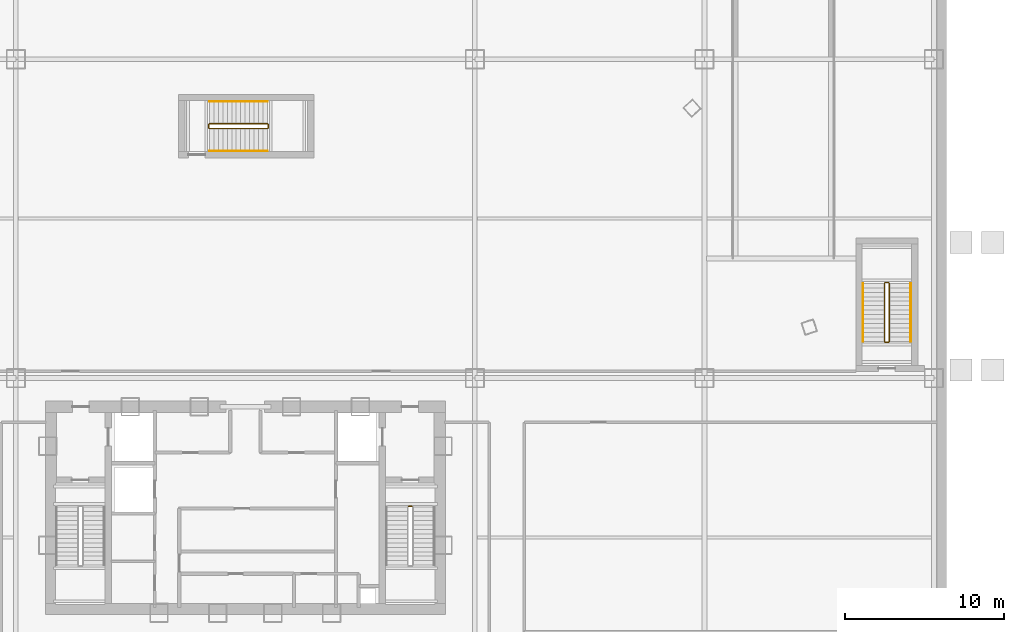
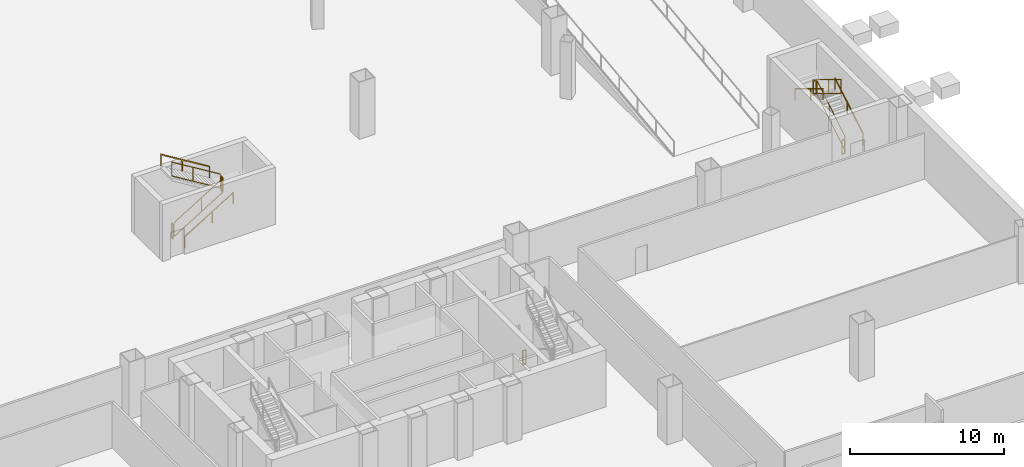
# One storey, part 15 of 16: 13 railings.
"""IFC4 building model written with IfcOpenShell, lengths in metres."""

from ifc_helpers import new_model, si_unit, direction, frame, origin, origin_2d, place, context, subcontext, project, spatial, rectangle, extrude, material, type_object, element, save


model = new_model("IFC4")

# Units and contexts
model_context = context("Model", 3, precision=1e-05, world=origin(), true_north=direction((0.0, 1.0)))
body_context = subcontext(model_context, "Body", "Model", "MODEL_VIEW")
ifc_project = project(units=[si_unit("LENGTHUNIT", "METRE"), si_unit("AREAUNIT", "SQUARE_METRE"), si_unit("VOLUMEUNIT", "CUBIC_METRE"), si_unit("PLANEANGLEUNIT", "RADIAN"), si_unit("MASSUNIT", "GRAM", prefix="KILO"), si_unit("THERMODYNAMICTEMPERATUREUNIT", "KELVIN"), si_unit("POWERUNIT", "WATT")], contexts=[model_context])

# Site, building, storey
site_placement = place(None, origin())
site = spatial("IfcSite", under=ifc_project, at=site_placement, CompositionType="ELEMENT")
building_placement = place(site_placement, origin())
building = spatial("IfcBuilding", under=site, at=building_placement, Name="Yunzhuo Pagoda Commons", CompositionType="ELEMENT")
storey_placement = place(building_placement, frame((0.0, 0.0, -4.800048828125)))
storey = spatial("IfcBuildingStorey", under=building, at=storey_placement, Name="B01", CompositionType="ELEMENT", Elevation=-4.800048828125)

# Railings
ifc_material = material(Name="Anodized aluminium 6063-T6", Category="aluminium")
railing_type_1 = type_object("IfcRailingType", Name="GR-PS4 Podium Well Guardrail 1165", PredefinedType="GUARDRAIL", material=ifc_material)
railing_1_placement = place(storey_placement, frame((88.39990234375, 44.300048828125, 0.17138671875)))
element("IfcRailing", 1, at=railing_1_placement, inside=storey, type_object=railing_type_1, Name="B01 PS4 stair guard 1", PredefinedType="GUARDRAIL", context=body_context, shape_type="SweptSolid", body=[
    extrude(rectangle(XDim=0.048095703125, YDim=0.048095703125, at=origin_2d()), frame((0.0, 0.0, 1.1259765625), z_axis=(0.0, 0.852824790078, 0.522197163366), x_axis=(-1.0, 0.0, 0.0)), (0.0, 0.0, 1.0), 4.26806640625),
    extrude(rectangle(XDim=0.048095703125, YDim=0.048095703125, at=origin_2d()), frame((0.0, 0.0, 0.02392578125), z_axis=(0.0, 0.852824790078, 0.522197163366), x_axis=(-1.0, 0.0, 0.0)), (0.0, 0.0, 1.0), 4.26806640625),
    extrude(rectangle(XDim=0.0419921875, YDim=0.0419921875, at=origin_2d()), origin(), (0.0, 0.0, 1.0), 1.101806640625),
    extrude(rectangle(XDim=0.0419921875, YDim=0.0419921875, at=origin_2d()), frame((0.0, 2.046875, 1.253173828125)), (0.0, 0.0, 1.0), 1.101806640625),
    extrude(rectangle(XDim=0.0419921875, YDim=0.0419921875, at=origin_2d()), frame((0.0, 3.639892578125, 2.228759765625)), (0.0, 0.0, 1.0), 1.101806640625),
])
railing_2_placement = place(storey_placement, frame((88.35009765625, 47.989990234375, 2.400146484375)))
element("IfcRailing", 2, at=railing_2_placement, inside=storey, type_object=railing_type_1, Name="B01 PS4 stair guard 2", PredefinedType="GUARDRAIL", context=body_context, shape_type="SweptSolid", body=[
    extrude(rectangle(XDim=0.048095703125, YDim=0.048095703125, at=origin_2d()), frame((0.0, 0.0, 1.1259765625), z_axis=(-1.0, 0.0, 0.0), x_axis=(0.0, -1.0, 0.0)), (0.0, 0.0, 1.0), 0.2001953125),
    extrude(rectangle(XDim=0.048095703125, YDim=0.048095703125, at=origin_2d()), frame((0.0, 0.0, 0.02392578125), z_axis=(-1.0, 0.0, 0.0), x_axis=(0.0, -1.0, 0.0)), (0.0, 0.0, 1.0), 0.2001953125),
    extrude(rectangle(XDim=0.0419921875, YDim=0.0419921875, at=origin_2d()), origin(), (0.0, 0.0, 1.0), 1.101806640625),
    extrude(rectangle(XDim=0.0419921875, YDim=0.0419921875, at=origin_2d()), frame((-0.2001953125, 0.0, 0.0)), (0.0, 0.0, 1.0), 1.101806640625),
])
railing_3_placement = place(storey_placement, frame((88.10009765625, 47.93994140625, 2.571533203125)))
element("IfcRailing", 3, at=railing_3_placement, inside=storey, type_object=railing_type_1, Name="B01 PS4 stair guard 3", PredefinedType="GUARDRAIL", context=body_context, shape_type="SweptSolid", body=[
    extrude(rectangle(XDim=0.048095703125, YDim=0.048095703125, at=origin_2d()), frame((0.0, 0.0, 1.1259765625), z_axis=(0.0, -0.852850264322, 0.5221555579), x_axis=(1.0, 0.0, 0.0)), (0.0, 0.0, 1.0), 4.267822265625),
    extrude(rectangle(XDim=0.048095703125, YDim=0.048095703125, at=origin_2d()), frame((0.0, 0.0, 0.02392578125), z_axis=(0.0, -0.852850264322, 0.5221555579), x_axis=(1.0, 0.0, 0.0)), (0.0, 0.0, 1.0), 4.267822265625),
    extrude(rectangle(XDim=0.0419921875, YDim=0.0419921875, at=origin_2d()), origin(), (0.0, 0.0, 1.0), 1.101806640625),
    extrude(rectangle(XDim=0.0419921875, YDim=0.0419921875, at=origin_2d()), frame((0.0, -2.046875, 1.253173828125)), (0.0, 0.0, 1.0), 1.101806640625),
    extrude(rectangle(XDim=0.0419921875, YDim=0.0419921875, at=origin_2d()), frame((0.0, -3.639892578125, 2.228515625)), (0.0, 0.0, 1.0), 1.101806640625),
])
railing_4_placement = place(storey_placement, frame((88.35009765625, 44.25, 0.0)))
element("IfcRailing", 4, at=railing_4_placement, inside=storey, type_object=railing_type_1, Name="B01 PS4 stair guard 4", PredefinedType="GUARDRAIL", context=body_context, shape_type="SweptSolid", body=[
    extrude(rectangle(XDim=0.048095703125, YDim=0.048095703125, at=origin_2d()), frame((0.0, 0.0, 1.1259765625), z_axis=(-1.0, 0.0, 0.0), x_axis=(0.0, -1.0, 0.0)), (0.0, 0.0, 1.0), 0.2001953125),
    extrude(rectangle(XDim=0.048095703125, YDim=0.048095703125, at=origin_2d()), frame((0.0, 0.0, 0.02392578125), z_axis=(-1.0, 0.0, 0.0), x_axis=(0.0, -1.0, 0.0)), (0.0, 0.0, 1.0), 0.2001953125),
    extrude(rectangle(XDim=0.0419921875, YDim=0.0419921875, at=origin_2d()), origin(), (0.0, 0.0, 1.0), 1.101806640625),
    extrude(rectangle(XDim=0.0419921875, YDim=0.0419921875, at=origin_2d()), frame((-0.2001953125, 0.0, 0.0)), (0.0, 0.0, 1.0), 1.101806640625),
])
railing_type_2 = type_object("IfcRailingType", Name="GR-ST2 Stair Well Guardrail 1160", PredefinedType="GUARDRAIL", material=ifc_material)
railing_5_placement = place(storey_placement, frame((58.25, 33.949951171875, 0.0)))
element("IfcRailing", 5, at=railing_5_placement, inside=storey, type_object=railing_type_2, Name="B01 ST2 stair guard 4", PredefinedType="GUARDRAIL", context=body_context, shape_type="SweptSolid", body=[
    extrude(rectangle(XDim=0.048095703125, YDim=0.048095703125, at=origin_2d()), frame((0.0, 0.0, 1.1259765625), z_axis=(1.0, 0.0, 0.0), x_axis=(0.0, 1.0, 0.0)), (0.0, 0.0, 1.0), 0.199951171875),
    extrude(rectangle(XDim=0.048095703125, YDim=0.048095703125, at=origin_2d()), frame((0.0, 0.0, 0.02392578125), z_axis=(1.0, 0.0, 0.0), x_axis=(0.0, 1.0, 0.0)), (0.0, 0.0, 1.0), 0.199951171875),
    extrude(rectangle(XDim=0.0419921875, YDim=0.0419921875, at=origin_2d()), origin(), (0.0, 0.0, 1.0), 1.101806640625),
    extrude(rectangle(XDim=0.0419921875, YDim=0.0419921875, at=origin_2d()), frame((0.199951171875, 0.0, 0.0)), (0.0, 0.0, 1.0), 1.101806640625),
])
railing_type_3 = type_object("IfcRailingType", Name="GR-ST3 North Well Guardrail 1155", PredefinedType="GUARDRAIL", material=ifc_material)
railing_6_placement = place(storey_placement, frame((45.75, 57.64990234375, 0.17138671875)))
element("IfcRailing", 6, at=railing_6_placement, inside=storey, type_object=railing_type_3, Name="B01 ST3 stair guard 1", PredefinedType="GUARDRAIL", context=body_context, shape_type="SweptSolid", body=[
    extrude(rectangle(XDim=0.048095703125, YDim=0.048095703125, at=origin_2d()), frame((0.0, 0.0, 1.1259765625), z_axis=(0.852824790078, 0.0, 0.522197163366), x_axis=(0.0, 1.0, 0.0)), (0.0, 0.0, 1.0), 4.26806640625),
    extrude(rectangle(XDim=0.048095703125, YDim=0.048095703125, at=origin_2d()), frame((0.0, 0.0, 0.02392578125), z_axis=(0.852824790078, 0.0, 0.522197163366), x_axis=(0.0, 1.0, 0.0)), (0.0, 0.0, 1.0), 4.26806640625),
    extrude(rectangle(XDim=0.0419921875, YDim=0.0419921875, at=origin_2d()), origin(), (0.0, 0.0, 1.0), 1.101806640625),
    extrude(rectangle(XDim=0.0419921875, YDim=0.0419921875, at=origin_2d()), frame((2.046875, 0.0, 1.253173828125)), (0.0, 0.0, 1.0), 1.101806640625),
    extrude(rectangle(XDim=0.0419921875, YDim=0.0419921875, at=origin_2d()), frame((3.639892578125, 0.0, 2.228759765625)), (0.0, 0.0, 1.0), 1.101806640625),
])
railing_7_placement = place(storey_placement, frame((49.43994140625, 57.699951171875, 2.400146484375)))
element("IfcRailing", 7, at=railing_7_placement, inside=storey, type_object=railing_type_3, Name="B01 ST3 stair guard 2", PredefinedType="GUARDRAIL", context=body_context, shape_type="SweptSolid", body=[
    extrude(rectangle(XDim=0.048095703125, YDim=0.048095703125, at=origin_2d()), frame((0.0, 0.0, 1.1259765625), z_axis=(0.0, 1.0, 0.0), x_axis=(-1.0, 0.0, 0.0)), (0.0, 0.0, 1.0), 0.199951171875),
    extrude(rectangle(XDim=0.048095703125, YDim=0.048095703125, at=origin_2d()), frame((0.0, 0.0, 0.02392578125), z_axis=(0.0, 1.0, 0.0), x_axis=(-1.0, 0.0, 0.0)), (0.0, 0.0, 1.0), 0.199951171875),
    extrude(rectangle(XDim=0.0419921875, YDim=0.0419921875, at=origin_2d()), origin(), (0.0, 0.0, 1.0), 1.101806640625),
    extrude(rectangle(XDim=0.0419921875, YDim=0.0419921875, at=origin_2d()), frame((0.0, 0.199951171875, 0.0)), (0.0, 0.0, 1.0), 1.101806640625),
])
railing_8_placement = place(storey_placement, frame((49.389892578125, 57.949951171875, 2.571533203125)))
element("IfcRailing", 8, at=railing_8_placement, inside=storey, type_object=railing_type_3, Name="B01 ST3 stair guard 3", PredefinedType="GUARDRAIL", context=body_context, shape_type="SweptSolid", body=[
    extrude(rectangle(XDim=0.048095703125, YDim=0.048095703125, at=origin_2d()), frame((0.0, 0.0, 1.1259765625), z_axis=(-0.852850264322, 0.0, 0.5221555579), x_axis=(0.0, -1.0, 0.0)), (0.0, 0.0, 1.0), 4.267822265625),
    extrude(rectangle(XDim=0.048095703125, YDim=0.048095703125, at=origin_2d()), frame((0.0, 0.0, 0.02392578125), z_axis=(-0.852850264322, 0.0, 0.5221555579), x_axis=(0.0, -1.0, 0.0)), (0.0, 0.0, 1.0), 4.267822265625),
    extrude(rectangle(XDim=0.0419921875, YDim=0.0419921875, at=origin_2d()), origin(), (0.0, 0.0, 1.0), 1.101806640625),
    extrude(rectangle(XDim=0.0419921875, YDim=0.0419921875, at=origin_2d()), frame((-2.046875, 0.0, 1.253173828125)), (0.0, 0.0, 1.0), 1.101806640625),
    extrude(rectangle(XDim=0.0419921875, YDim=0.0419921875, at=origin_2d()), frame((-3.639892578125, 0.0, 2.228515625)), (0.0, 0.0, 1.0), 1.101806640625),
])
railing_9_placement = place(storey_placement, frame((45.699951171875, 57.699951171875, 0.0)))
element("IfcRailing", 9, at=railing_9_placement, inside=storey, type_object=railing_type_3, Name="B01 ST3 stair guard 4", PredefinedType="GUARDRAIL", context=body_context, shape_type="SweptSolid", body=[
    extrude(rectangle(XDim=0.048095703125, YDim=0.048095703125, at=origin_2d()), frame((0.0, 0.0, 1.1259765625), z_axis=(0.0, 1.0, 0.0), x_axis=(-1.0, 0.0, 0.0)), (0.0, 0.0, 1.0), 0.199951171875),
    extrude(rectangle(XDim=0.048095703125, YDim=0.048095703125, at=origin_2d()), frame((0.0, 0.0, 0.02392578125), z_axis=(0.0, 1.0, 0.0), x_axis=(-1.0, 0.0, 0.0)), (0.0, 0.0, 1.0), 0.199951171875),
    extrude(rectangle(XDim=0.0419921875, YDim=0.0419921875, at=origin_2d()), origin(), (0.0, 0.0, 1.0), 1.101806640625),
    extrude(rectangle(XDim=0.0419921875, YDim=0.0419921875, at=origin_2d()), frame((0.0, 0.199951171875, 0.0)), (0.0, 0.0, 1.0), 1.101806640625),
])
railing_type_4 = type_object("IfcRailingType", Name="HR-PS4 Podium Stair Handrail 900", PredefinedType="HANDRAIL", material=ifc_material)
railing_10_placement = place(storey_placement, frame((89.75, 44.300048828125, 0.17138671875)))
element("IfcRailing", 10, at=railing_10_placement, inside=storey, type_object=railing_type_4, Name="B01 PS4 stair handrail 1", PredefinedType="HANDRAIL", context=body_context, shape_type="SweptSolid", body=[
    extrude(rectangle(XDim=0.048095703125, YDim=0.048095703125, at=origin_2d()), frame((0.0, 0.0, 0.8759765625), z_axis=(0.0, 0.852824790078, 0.522197163366), x_axis=(-1.0, 0.0, 0.0)), (0.0, 0.0, 1.0), 4.26806640625),
    extrude(rectangle(XDim=0.0419921875, YDim=0.0419921875, at=origin_2d()), origin(), (0.0, 0.0, 1.0), 0.851806640625),
    extrude(rectangle(XDim=0.0419921875, YDim=0.0419921875, at=origin_2d()), frame((0.0, 2.046875, 1.253173828125)), (0.0, 0.0, 1.0), 0.851806640625),
    extrude(rectangle(XDim=0.0419921875, YDim=0.0419921875, at=origin_2d()), frame((0.0, 3.639892578125, 2.228759765625)), (0.0, 0.0, 1.0), 0.851806640625),
])
railing_11_placement = place(storey_placement, frame((86.75, 47.93994140625, 2.571533203125)))
element("IfcRailing", 11, at=railing_11_placement, inside=storey, type_object=railing_type_4, Name="B01 PS4 stair handrail 2", PredefinedType="HANDRAIL", context=body_context, shape_type="SweptSolid", body=[
    extrude(rectangle(XDim=0.048095703125, YDim=0.048095703125, at=origin_2d()), frame((0.0, 0.0, 0.8759765625), z_axis=(0.0, -0.852850264322, 0.5221555579), x_axis=(1.0, 0.0, 0.0)), (0.0, 0.0, 1.0), 4.267822265625),
    extrude(rectangle(XDim=0.0419921875, YDim=0.0419921875, at=origin_2d()), origin(), (0.0, 0.0, 1.0), 0.851806640625),
    extrude(rectangle(XDim=0.0419921875, YDim=0.0419921875, at=origin_2d()), frame((0.0, -2.046875, 1.253173828125)), (0.0, 0.0, 1.0), 0.851806640625),
    extrude(rectangle(XDim=0.0419921875, YDim=0.0419921875, at=origin_2d()), frame((0.0, -3.639892578125, 2.228515625)), (0.0, 0.0, 1.0), 0.851806640625),
])
railing_type_5 = type_object("IfcRailingType", Name="HR-ST3 North Stair Handrail 900", PredefinedType="HANDRAIL", material=ifc_material)
railing_12_placement = place(storey_placement, frame((45.75, 56.25, 0.17138671875)))
element("IfcRailing", 12, at=railing_12_placement, inside=storey, type_object=railing_type_5, Name="B01 ST3 stair handrail 1", PredefinedType="HANDRAIL", context=body_context, shape_type="SweptSolid", body=[
    extrude(rectangle(XDim=0.048095703125, YDim=0.048095703125, at=origin_2d()), frame((0.0, 0.0, 0.8759765625), z_axis=(0.852824790078, 0.0, 0.522197163366), x_axis=(0.0, 1.0, 0.0)), (0.0, 0.0, 1.0), 4.26806640625),
    extrude(rectangle(XDim=0.0419921875, YDim=0.0419921875, at=origin_2d()), origin(), (0.0, 0.0, 1.0), 0.851806640625),
    extrude(rectangle(XDim=0.0419921875, YDim=0.0419921875, at=origin_2d()), frame((2.046875, 0.0, 1.253173828125)), (0.0, 0.0, 1.0), 0.851806640625),
    extrude(rectangle(XDim=0.0419921875, YDim=0.0419921875, at=origin_2d()), frame((3.639892578125, 0.0, 2.228759765625)), (0.0, 0.0, 1.0), 0.851806640625),
])
railing_13_placement = place(storey_placement, frame((49.389892578125, 59.35009765625, 2.571533203125)))
element("IfcRailing", 13, at=railing_13_placement, inside=storey, type_object=railing_type_5, Name="B01 ST3 stair handrail 2", PredefinedType="HANDRAIL", context=body_context, shape_type="SweptSolid", body=[
    extrude(rectangle(XDim=0.048095703125, YDim=0.048095703125, at=origin_2d()), frame((0.0, 0.0, 0.8759765625), z_axis=(-0.852850264322, 0.0, 0.5221555579), x_axis=(0.0, -1.0, 0.0)), (0.0, 0.0, 1.0), 4.267822265625),
    extrude(rectangle(XDim=0.0419921875, YDim=0.0419921875, at=origin_2d()), origin(), (0.0, 0.0, 1.0), 0.851806640625),
    extrude(rectangle(XDim=0.0419921875, YDim=0.0419921875, at=origin_2d()), frame((-2.046875, 0.0, 1.253173828125)), (0.0, 0.0, 1.0), 0.851806640625),
    extrude(rectangle(XDim=0.0419921875, YDim=0.0419921875, at=origin_2d()), frame((-3.639892578125, 0.0, 2.228515625)), (0.0, 0.0, 1.0), 0.851806640625),
])

save(model, "model.ifc")
